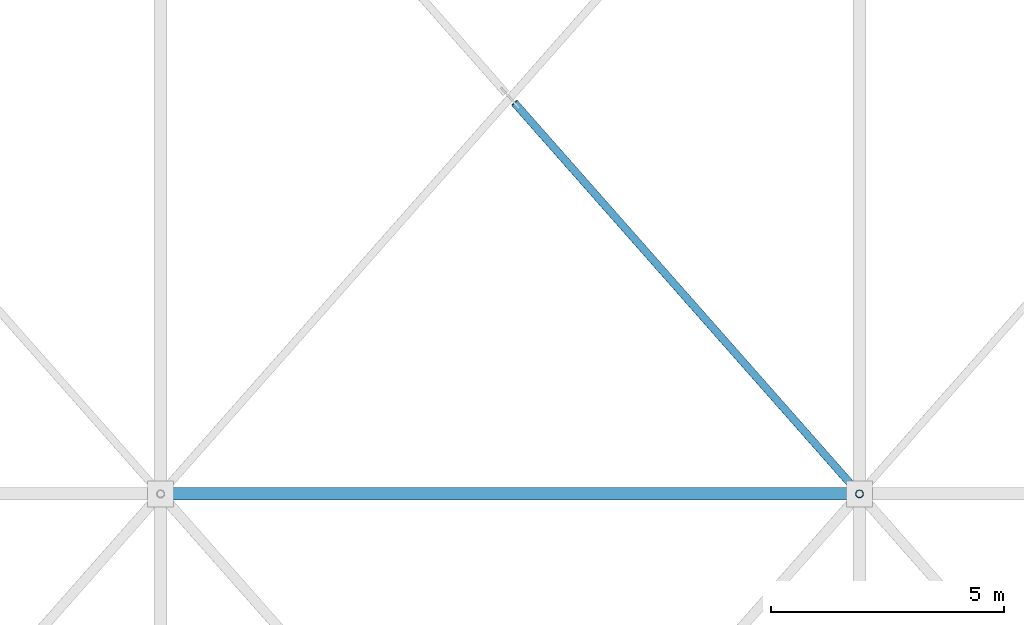
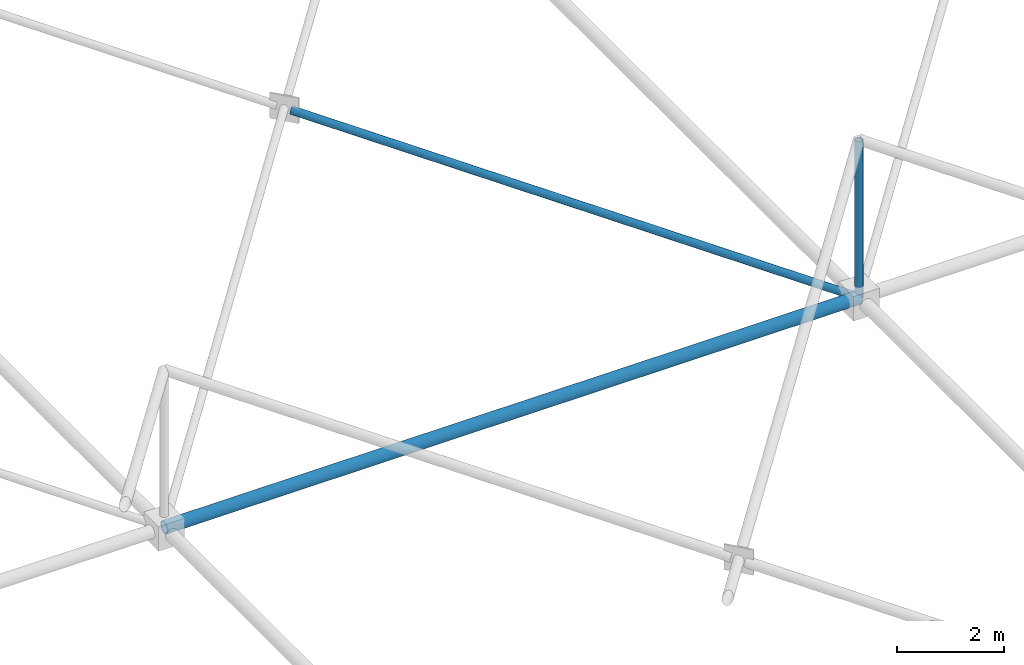
# One storey, part 52 of 224: 3 members.
"""IFC4 building model written with IfcOpenShell, lengths in metres."""

from ifc_helpers import new_model, si_unit, direction, frame, origin, origin_2d, place, context, subcontext, project, spatial, hollow_circle, extrude, material, material_profile, profile_set, type_object, element, save


model = new_model("IFC4")

# Units and contexts
model_context = context("Model", 3, precision=1e-05, world=origin(), true_north=direction((0.0, 1.0)))
body_context = subcontext(model_context, "Body", "Model", "MODEL_VIEW")
ifc_project = project(units=[si_unit("LENGTHUNIT", "METRE"), si_unit("AREAUNIT", "SQUARE_METRE"), si_unit("VOLUMEUNIT", "CUBIC_METRE"), si_unit("PLANEANGLEUNIT", "RADIAN"), si_unit("MASSUNIT", "GRAM", prefix="KILO")], contexts=[model_context])

# Site, building, storey
site_placement = place(None, origin())
site = spatial("IfcSite", under=ifc_project, at=site_placement, CompositionType="ELEMENT")
building_placement = place(site_placement, origin())
building = spatial("IfcBuilding", under=site, at=building_placement, Name="Qamarlyn Nura Convention Centre", CompositionType="ELEMENT")
storey_placement = place(building_placement, frame((0.0, 0.0, 10.800048828125)))
storey = spatial("IfcBuildingStorey", under=building, at=storey_placement, Name="L02", CompositionType="ELEMENT", Elevation=10.800048828125)

# Members
ifc_material = material(Name="Pearl-white PVDF steel ASTM A500 Grade C", Category="steel")
ifc_material_profile_1 = material_profile(ifc_material, hollow_circle(Radius=0.136474609375, WallThickness=0.012451171875, at=origin_2d()), Name="CHS273X12.5")
ifc_profile_set_1 = profile_set([ifc_material_profile_1], Name="Pearl-white PVDF steel ASTM A500 Grade C")
member_type_1 = type_object("IfcMemberType", Name="SF-BC-MAIN", PredefinedType="CHORD", material=ifc_profile_set_1)
member_1_placement = place(storey_placement, frame((45.0, 35.0, 0.800048828125), z_axis=(1.0, 0.0, 0.0), x_axis=(0.0, 1.0, 0.0)))
element("IfcMember", 1, at=member_1_placement, inside=storey, type_object=member_type_1, Name="ROOF TRUSS space frame bottom chord X5-3", PredefinedType="CHORD", context=body_context, shape_type="SweptSolid", body=[
    extrude(hollow_circle(Radius=0.136474609375, WallThickness=0.012451171875, at=origin_2d()), origin(), (0.0, 0.0, 1.0), 15.0),
])
ifc_material_profile_2 = material_profile(ifc_material, hollow_circle(Radius=0.084228515625, WallThickness=0.008056640625, at=origin_2d()), Name="CHS168.3X8")
ifc_profile_set_2 = profile_set([ifc_material_profile_2], Name="Pearl-white PVDF steel ASTM A500 Grade C")
member_type_2 = type_object("IfcMemberType", Name="SF-WEB-STD", PredefinedType="BRACE", material=ifc_profile_set_2)
member_2_placement = place(storey_placement, frame((60.0, 35.0, 0.800048828125), z_axis=(-0.653436826791, 0.740561737029, 0.156807611557), x_axis=(-0.749837855365, -0.661621637087, 0.0)))
element("IfcMember", 2, at=member_2_placement, inside=storey, type_object=member_type_2, Name="ROOF TRUSS space frame split diagonal B1 5-3", PredefinedType="BRACE", context=body_context, shape_type="SweptSolid", body=[
    extrude(hollow_circle(Radius=0.084228515625, WallThickness=0.008056640625, at=origin_2d()), origin(), (0.0, 0.0, 1.0), 11.337646484375),
])
member_3_placement = place(storey_placement, frame((60.0, 35.0, 0.800048828125), z_axis=(0.0, 0.0, 1.0), x_axis=(1.0, 0.0, 0.0)))
element("IfcMember", 3, at=member_3_placement, inside=storey, type_object=member_type_2, Name="ROOF TRUSS space frame vertical 6-3", PredefinedType="BRACE", context=body_context, shape_type="SweptSolid", body=[
    extrude(hollow_circle(Radius=0.084228515625, WallThickness=0.008056640625, at=origin_2d()), origin(), (0.0, 0.0, 1.0), 3.599853515625),
])

save(model, "model.ifc")
